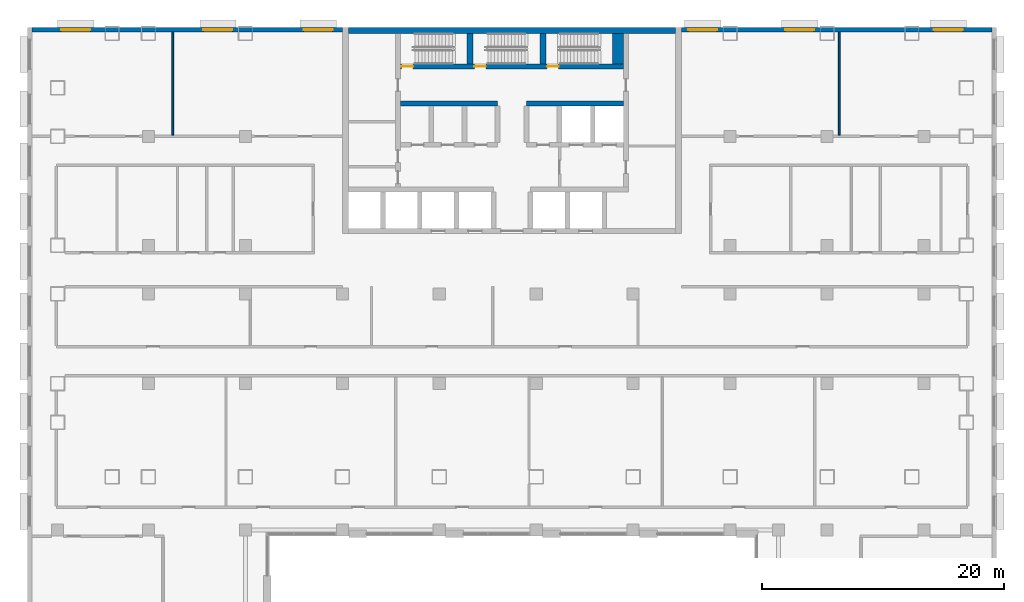
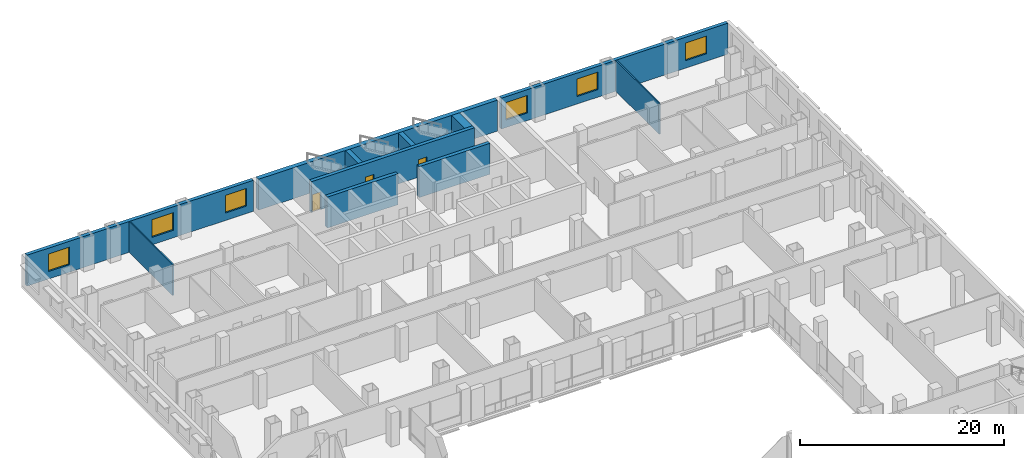
# One storey, part 15 of 25: 11 walls, 6 windows, 3 doors, 9 openings.
"""IFC4 building model written with IfcOpenShell, lengths in metres."""

import ifcopenshell
import ifcopenshell.guid

model = None  # the IFC model being written
_history = None  # IfcOwnerHistory: only IFC2X3 demands one
_inside = {}  # id of a spatial element -> (the spatial element, [elements in it])
_under = {}  # id of a project, library or spatial element -> (it, [spatial elements below it])
_declared = {}  # id of a project -> (the project, [libraries it declares])
_typed = {}  # id of a type object -> (the type object, [elements of that type])
_made_of = {}  # id of a material, layer set ... -> (it, [elements and type objects made of it])


def new_model(schema):
    """Start an empty IFC model of exactly this schema.

    Asked for "IFC4X3", IfcOpenShell would pick the latest addendum, in which some entities
    have other attributes; the version numbers below select the first issue.
    IFC2X3 requires an IfcOwnerHistory on every rooted entity: one is made here for all.
    """
    global model, _history
    if schema == "IFC4X3":
        model = ifcopenshell.file(schema_version=(4, 3, 0, 0))
    else:
        model = ifcopenshell.file(schema=schema)
    _inside.clear()
    _under.clear()
    _declared.clear()
    _typed.clear()
    _made_of.clear()
    _history = None
    if model.schema == "IFC2X3":
        org = make("IfcOrganization", Name="unknown")
        user = make(
            "IfcPersonAndOrganization",
            ThePerson=make("IfcPerson", FamilyName="unknown"),
            TheOrganization=org,
        )
        app = make(
            "IfcApplication",
            ApplicationDeveloper=org,
            Version="unknown",
            ApplicationFullName="unknown",
            ApplicationIdentifier="unknown",
        )
        _history = make(
            "IfcOwnerHistory",
            OwningUser=user,
            OwningApplication=app,
            ChangeAction="ADDED",
            CreationDate=0,
        )
    return model


def make(cls, **values):
    """One entity of the class cls with the attributes given. An attribute that is None is left unset."""
    return model.create_entity(
        cls, **{name: value for name, value in values.items() if value is not None}
    )


def rooted(cls, **values):
    """An entity with a GlobalId (a new one), such as an element, a storey or a relation."""
    return make(cls, GlobalId=ifcopenshell.guid.new(), OwnerHistory=_history, **values)


def si_unit(unit_type, name, prefix=None):
    """IfcSIUnit, for example si_unit("LENGTHUNIT", "METRE", prefix="MILLI")."""
    return make("IfcSIUnit", UnitType=unit_type, Prefix=prefix, Name=name)


def assignment(units):
    """IfcUnitAssignment: the units of a project."""
    return None if units is None else make("IfcUnitAssignment", Units=units)


def point(xyz):
    """IfcCartesianPoint."""
    return None if xyz is None else make("IfcCartesianPoint", Coordinates=xyz)


def direction(xyz):
    """IfcDirection."""
    return None if xyz is None else make("IfcDirection", DirectionRatios=xyz)


def frame(location, z_axis=None, x_axis=None):
    """IfcAxis2Placement3D, a coordinate frame: its origin and axes. An axis left out is left unset."""
    return make(
        "IfcAxis2Placement3D",
        Location=point(location),
        Axis=direction(z_axis),
        RefDirection=direction(x_axis),
    )


def frame_2d(location, x_axis=None):
    """IfcAxis2Placement2D, a coordinate frame in the plane: its origin and x axis."""
    return make(
        "IfcAxis2Placement2D", Location=point(location), RefDirection=direction(x_axis)
    )


def origin():
    """The frame at (0, 0, 0) with its axes left unset."""
    return frame((0.0, 0.0, 0.0))


def place(relative_to, where):
    """IfcLocalPlacement: puts the frame where relative to a parent placement (None: the world)."""
    return make(
        "IfcLocalPlacement", PlacementRelTo=relative_to, RelativePlacement=where
    )


def context(
    kind, dimensions, precision=None, world=None, true_north=None, identifier=None
):
    """IfcGeometricRepresentationContext, for example the 3D "Model" context."""
    return make(
        "IfcGeometricRepresentationContext",
        ContextIdentifier=identifier,
        ContextType=kind,
        CoordinateSpaceDimension=dimensions,
        Precision=precision,
        WorldCoordinateSystem=world,
        TrueNorth=true_north,
    )


def subcontext(parent, identifier, kind, view, scale=None):
    """IfcGeometricRepresentationSubContext, for example "Body" below "Model"."""
    return make(
        "IfcGeometricRepresentationSubContext",
        ContextIdentifier=identifier,
        ContextType=kind,
        ParentContext=parent,
        TargetScale=scale,
        TargetView=view,
    )


def project(units=None, contexts=None):
    """IfcProject with its units and contexts."""
    return rooted(
        "IfcProject",
        Name="project",
        RepresentationContexts=contexts,
        UnitsInContext=assignment(units),
    )


def spatial(cls, under=None, at=None, **own):
    """A site, building, storey or space (cls), placed at a placement, below another one or the project."""
    s = rooted(cls, ObjectPlacement=at, **own)
    if under is not None:
        _under.setdefault(under.id(), (under, []))[1].append(s)
    return s


def profile(cls, at=None, kind="AREA", **sizes):
    """A parametric profile (cls). Its sizes go by their IFC names, for example OverallWidth=200.0."""
    return make(cls, ProfileType=kind, Position=at, **sizes)


def rectangle(**sizes):
    """IfcRectangleProfileDef."""
    return profile("IfcRectangleProfileDef", **sizes)


def extrude(swept, where, along, depth):
    """IfcExtrudedAreaSolid: the profile swept, set in the frame where, extruded along a direction by depth."""
    return make(
        "IfcExtrudedAreaSolid",
        SweptArea=swept,
        Position=where,
        ExtrudedDirection=direction(along),
        Depth=depth,
    )


def shape(context_of_items, identifier, shape_type, items):
    """IfcShapeRepresentation: the items that make up one representation, for example the "Body"."""
    return make(
        "IfcShapeRepresentation",
        ContextOfItems=context_of_items,
        RepresentationIdentifier=identifier,
        RepresentationType=shape_type,
        Items=items,
    )


def material(Name=None, Category=None):
    """IfcMaterial."""
    return make("IfcMaterial", Name=Name, Category=Category)


def layer(
    of_material, thickness, ventilated=None, Name=None, Category=None, Priority=None
):
    """IfcMaterialLayer: one layer of a wall or slab, of a material (None: an air gap)."""
    return make(
        "IfcMaterialLayer",
        Material=of_material,
        LayerThickness=thickness,
        IsVentilated=ventilated,
        Name=Name,
        Category=Category,
        Priority=Priority,
    )


def layer_set(layers, Name=None):
    """IfcMaterialLayerSet."""
    return make("IfcMaterialLayerSet", MaterialLayers=layers, LayerSetName=Name)


def made_of(thing, what):
    """Note that an element or type object is made of a material, layer set ...; save() writes the relation."""
    if what is not None:
        _made_of.setdefault(what.id(), (what, []))[1].append(thing)
    return thing


def type_object(cls, material=None, **own):
    """A type object (cls), such as IfcWallType, which elements share."""
    return made_of(rooted(cls, **own), material)


def element(
    cls,
    number,
    at=None,
    inside=None,
    cuts=None,
    type_object=None,
    material=None,
    context=None,
    identifier="Body",
    shape_type=None,
    held_by="IfcProductDefinitionShape",
    body=None,
    shapes=None,
    **own,
):
    """One element of the class cls, such as IfcWall. Its Tag is "e" and its number.

    at: its placement. inside: the storey or other place that contains it. cuts: it is an
    opening in that element (IfcRelVoidsElement). A single representation is given by context,
    identifier, shape_type and body (its items); several are given by shapes. held_by: the class
    of the entity that holds the representations. save() writes the other relations.
    """
    e = rooted(cls, Tag="e%d" % number, ObjectPlacement=at, **own)
    if body is not None:
        shapes = [shape(context, identifier, shape_type, body)]
    if shapes is not None:
        e.Representation = make(held_by, Representations=shapes)
    if inside is not None:
        _inside.setdefault(inside.id(), (inside, []))[1].append(e)
    if cuts is not None:
        rooted(
            "IfcRelVoidsElement", RelatingBuildingElement=cuts, RelatedOpeningElement=e
        )
    if type_object is not None:
        _typed.setdefault(type_object.id(), (type_object, []))[1].append(e)
    return made_of(e, material)


def fill(opening, filler):
    """IfcRelFillsElement: the door or window that sits in an opening."""
    return rooted(
        "IfcRelFillsElement",
        RelatingOpeningElement=opening,
        RelatedBuildingElement=filler,
    )


def aggregate(whole, parts):
    """IfcRelAggregates: a whole, such as a stair, and the parts it consists of."""
    return rooted("IfcRelAggregates", RelatingObject=whole, RelatedObjects=parts)


def save(model, path):
    """Write the relations noted so far, then the file.

    IfcRelAggregates (storeys below a building ...), IfcRelContainedInSpatialStructure (elements
    in a storey), IfcRelDefinesByType, IfcRelAssociatesMaterial and IfcRelDeclares: one each for
    every whole, place, type object, material and project.
    """
    for whole, parts in _under.values():
        aggregate(whole, parts)
    for where, things in _inside.values():
        rooted(
            "IfcRelContainedInSpatialStructure",
            RelatedElements=things,
            RelatingStructure=where,
        )
    for kind, things in _typed.values():
        rooted("IfcRelDefinesByType", RelatedObjects=things, RelatingType=kind)
    for what, things in _made_of.values():
        rooted("IfcRelAssociatesMaterial", RelatedObjects=things, RelatingMaterial=what)
    for by, libraries in _declared.values():
        rooted("IfcRelDeclares", RelatingContext=by, RelatedDefinitions=libraries)
    model.write(path)


model = new_model("IFC4")

# Units and contexts
model_context = context("Model", 3, precision=1e-05, world=origin(), true_north=direction((0.0, 1.0)))
body_context = subcontext(model_context, "Body", "Model", "MODEL_VIEW")
ifc_project = project(units=[si_unit("LENGTHUNIT", "METRE"), si_unit("AREAUNIT", "SQUARE_METRE"), si_unit("VOLUMEUNIT", "CUBIC_METRE"), si_unit("PLANEANGLEUNIT", "RADIAN"), si_unit("MASSUNIT", "GRAM", prefix="KILO")], contexts=[model_context])

# Site, building, storey
site_placement = place(None, origin())
site = spatial("IfcSite", under=ifc_project, at=site_placement, CompositionType="ELEMENT")
building_placement = place(site_placement, origin())
building = spatial("IfcBuilding", under=site, at=building_placement, Name="Vidyagriha Tower", CompositionType="ELEMENT")
storey_placement = place(building_placement, frame((0.0, 0.0, 18.0)))
storey = spatial("IfcBuildingStorey", under=building, at=storey_placement, Name="L04", CompositionType="ELEMENT", Elevation=18.0)

# Wall, openings, windows
ifc_material_1 = material(Name="Concrete C40/50 board-marked with brick facing", Category="concrete")
ifc_layer_1 = layer(ifc_material_1, 0.39990234375)
ifc_layer_set_1 = layer_set([ifc_layer_1], Name="Concrete C40/50 board-marked with brick facing")
wall_type_1 = type_object("IfcWallType", Name="Brick-faced board-marked concrete podium wall 400", PredefinedType="STANDARD", material=ifc_layer_set_1)
wall_1_placement = place(storey_placement, frame((39.60009765625, 19.800048828125, 0.0), z_axis=(0.0, 0.0, 1.0), x_axis=(-1.0, 0.0, 0.0)))
wall_1 = element("IfcWall", 1, at=wall_1_placement, inside=storey, type_object=wall_type_1, Name="Podium wall L04 R02", PredefinedType="STANDARD", context=body_context, shape_type="SweptSolid", body=[
    extrude(rectangle(XDim=25.60009765625, YDim=0.39990234375, at=frame_2d((12.800048828125, 0.0))), origin(), (0.0, 0.0, 1.0), 3.699951171875),
])
opening_1_placement = place(wall_1_placement, frame((2.39990234375, 0.0, 0.89990234375)))
opening_1 = element("IfcOpeningElement", 2, at=opening_1_placement, cuts=wall_1, Name="Opening WN3", PredefinedType="OPENING", context=body_context, shape_type="SweptSolid", body=[
    extrude(rectangle(XDim=2.39990234375, YDim=2.10009765625, at=frame_2d((1.199951171875, 1.050048828125))), frame((0.0, 0.2099609375, 0.0), z_axis=(0.0, -1.0, 0.0), x_axis=(1.0, 0.0, 0.0)), (0.0, 0.0, 1.0), 0.419921875),
])
opening_2_placement = place(wall_1_placement, frame((14.6650390625, 0.0, 0.89990234375)))
opening_2 = element("IfcOpeningElement", 3, at=opening_2_placement, cuts=wall_1, Name="Opening WN3", PredefinedType="OPENING", context=body_context, shape_type="SweptSolid", body=[
    extrude(rectangle(XDim=2.39990234375, YDim=2.10009765625, at=frame_2d((1.199951171875, 1.050048828125))), frame((0.0, 0.2099609375, 0.0), z_axis=(0.0, -1.0, 0.0), x_axis=(1.0, 0.0, 0.0)), (0.0, 0.0, 1.0), 0.419921875),
])
opening_3_placement = place(wall_1_placement, frame((22.6650390625, 0.0, 0.89990234375)))
opening_3 = element("IfcOpeningElement", 4, at=opening_3_placement, cuts=wall_1, Name="Opening WN3", PredefinedType="OPENING", context=body_context, shape_type="SweptSolid", body=[
    extrude(rectangle(XDim=2.39990234375, YDim=2.10009765625, at=frame_2d((1.199951171875, 1.050048828125))), frame((0.0, 0.2099609375, 0.0), z_axis=(0.0, -1.0, 0.0), x_axis=(1.0, 0.0, 0.0)), (0.0, 0.0, 1.0), 0.419921875),
])
ifc_material_2 = material(Name="Aluminium and glass window", Category="aluminium")
window_type = type_object("IfcWindowType", Name="Podium school window 2400x2100", PartitioningType="NOTDEFINED", PredefinedType="WINDOW", material=ifc_material_2)
window_1_placement = place(opening_1_placement, origin())
window_1 = element("IfcWindow", 5, at=window_1_placement, inside=storey, type_object=window_type, Name="School window L04 R02.2", OverallHeight=2.10009765625, OverallWidth=2.39990234375, PartitioningType="SINGLE_PANEL", PredefinedType="WINDOW", context=body_context, shape_type="SweptSolid", body=[
    extrude(rectangle(XDim=2.39990234375, YDim=2.10009765625, at=frame_2d((1.199951171875, 1.050048828125))), frame((0.0, 0.030029296875, 0.0), z_axis=(0.0, -1.0, 0.0), x_axis=(1.0, 0.0, 0.0)), (0.0, 0.0, 1.0), 0.06005859375),
])
fill(opening_1, window_1)
window_2_placement = place(opening_2_placement, origin())
window_2 = element("IfcWindow", 6, at=window_2_placement, inside=storey, type_object=window_type, Name="School window L04 R02.10", OverallHeight=2.10009765625, OverallWidth=2.39990234375, PartitioningType="SINGLE_PANEL", PredefinedType="WINDOW", context=body_context, shape_type="SweptSolid", body=[
    extrude(rectangle(XDim=2.39990234375, YDim=2.10009765625, at=frame_2d((1.199951171875, 1.050048828125))), frame((0.0, 0.030029296875, 0.0), z_axis=(0.0, -1.0, 0.0), x_axis=(1.0, 0.0, 0.0)), (0.0, 0.0, 1.0), 0.06005859375),
])
fill(opening_2, window_2)
window_3_placement = place(opening_3_placement, origin())
window_3 = element("IfcWindow", 7, at=window_3_placement, inside=storey, type_object=window_type, Name="School window L04 R02.14", OverallHeight=2.10009765625, OverallWidth=2.39990234375, PartitioningType="SINGLE_PANEL", PredefinedType="WINDOW", context=body_context, shape_type="SweptSolid", body=[
    extrude(rectangle(XDim=2.39990234375, YDim=2.10009765625, at=frame_2d((1.199951171875, 1.050048828125))), frame((0.0, 0.030029296875, 0.0), z_axis=(0.0, -1.0, 0.0), x_axis=(1.0, 0.0, 0.0)), (0.0, 0.0, 1.0), 0.06005859375),
])
fill(opening_3, window_3)

wall_2_placement = place(storey_placement, frame((-14.0, 19.800048828125, 0.0), z_axis=(0.0, 0.0, 1.0), x_axis=(-1.0, 0.0, 0.0)))
wall_2 = element("IfcWall", 8, at=wall_2_placement, inside=storey, type_object=wall_type_1, Name="Podium wall L04 R04", PredefinedType="STANDARD", context=body_context, shape_type="SweptSolid", body=[
    extrude(rectangle(XDim=25.60009765625, YDim=0.39990234375, at=frame_2d((12.800048828125, 0.0))), origin(), (0.0, 0.0, 1.0), 3.699951171875),
])
opening_4_placement = place(wall_2_placement, frame((0.800048828125, 0.0, 0.89990234375)))
opening_4 = element("IfcOpeningElement", 9, at=opening_4_placement, cuts=wall_2, Name="Opening WN3", PredefinedType="OPENING", context=body_context, shape_type="SweptSolid", body=[
    extrude(rectangle(XDim=2.39990234375, YDim=2.10009765625, at=frame_2d((1.199951171875, 1.050048828125))), frame((0.0, 0.2099609375, 0.0), z_axis=(0.0, -1.0, 0.0), x_axis=(1.0, 0.0, 0.0)), (0.0, 0.0, 1.0), 0.419921875),
])
opening_5_placement = place(wall_2_placement, frame((9.06494140625, 0.0, 0.89990234375)))
opening_5 = element("IfcOpeningElement", 10, at=opening_5_placement, cuts=wall_2, Name="Opening WN3", PredefinedType="OPENING", context=body_context, shape_type="SweptSolid", body=[
    extrude(rectangle(XDim=2.39990234375, YDim=2.10009765625, at=frame_2d((1.199951171875, 1.050048828125))), frame((0.0, 0.2099609375, 0.0), z_axis=(0.0, -1.0, 0.0), x_axis=(1.0, 0.0, 0.0)), (0.0, 0.0, 1.0), 0.419921875),
])
opening_6_placement = place(wall_2_placement, frame((20.800048828125, 0.0, 0.89990234375)))
opening_6 = element("IfcOpeningElement", 11, at=opening_6_placement, cuts=wall_2, Name="Opening WN3", PredefinedType="OPENING", context=body_context, shape_type="SweptSolid", body=[
    extrude(rectangle(XDim=2.39990234375, YDim=2.10009765625, at=frame_2d((1.199951171875, 1.050048828125))), frame((0.0, 0.2099609375, 0.0), z_axis=(0.0, -1.0, 0.0), x_axis=(1.0, 0.0, 0.0)), (0.0, 0.0, 1.0), 0.419921875),
])
window_4_placement = place(opening_4_placement, origin())
window_4 = element("IfcWindow", 12, at=window_4_placement, inside=storey, type_object=window_type, Name="School window L04 R04.1", OverallHeight=2.10009765625, OverallWidth=2.39990234375, PartitioningType="SINGLE_PANEL", PredefinedType="WINDOW", context=body_context, shape_type="SweptSolid", body=[
    extrude(rectangle(XDim=2.39990234375, YDim=2.10009765625, at=frame_2d((1.199951171875, 1.050048828125))), frame((0.0, 0.030029296875, 0.0), z_axis=(0.0, -1.0, 0.0), x_axis=(1.0, 0.0, 0.0)), (0.0, 0.0, 1.0), 0.06005859375),
])
fill(opening_4, window_4)
window_5_placement = place(opening_5_placement, origin())
window_5 = element("IfcWindow", 13, at=window_5_placement, inside=storey, type_object=window_type, Name="School window L04 R04.5", OverallHeight=2.10009765625, OverallWidth=2.39990234375, PartitioningType="SINGLE_PANEL", PredefinedType="WINDOW", context=body_context, shape_type="SweptSolid", body=[
    extrude(rectangle(XDim=2.39990234375, YDim=2.10009765625, at=frame_2d((1.199951171875, 1.050048828125))), frame((0.0, 0.030029296875, 0.0), z_axis=(0.0, -1.0, 0.0), x_axis=(1.0, 0.0, 0.0)), (0.0, 0.0, 1.0), 0.06005859375),
])
fill(opening_5, window_5)
window_6_placement = place(opening_6_placement, origin())
window_6 = element("IfcWindow", 14, at=window_6_placement, inside=storey, type_object=window_type, Name="School window L04 R04.13", OverallHeight=2.10009765625, OverallWidth=2.39990234375, PartitioningType="SINGLE_PANEL", PredefinedType="WINDOW", context=body_context, shape_type="SweptSolid", body=[
    extrude(rectangle(XDim=2.39990234375, YDim=2.10009765625, at=frame_2d((1.199951171875, 1.050048828125))), frame((0.0, 0.030029296875, 0.0), z_axis=(0.0, -1.0, 0.0), x_axis=(1.0, 0.0, 0.0)), (0.0, 0.0, 1.0), 0.06005859375),
])
fill(opening_6, window_6)

# Walls
ifc_material_3 = material(Name="Concrete C60/75", Category="concrete")
ifc_layer_2 = layer(ifc_material_3, 0.39990234375)
ifc_layer_set_2 = layer_set([ifc_layer_2], Name="Concrete C60/75")
wall_type_2 = type_object("IfcWallType", Name="Core shear wall 400 mm", PredefinedType="SHEAR", material=ifc_layer_set_2)
for number, where, name in (
    (15, (-9.199951171875, 13.699951171875, 0.0), "Core row N rear wall"),
    (16, (1.199951171875, 13.699951171875, 0.0), "Core row N rear wall"),
):
    element("IfcWall", number, at=place(storey_placement, frame(where)), inside=storey, type_object=wall_type_2, Name=name, PredefinedType="SHEAR", context=body_context, shape_type="SweptSolid", body=[
        extrude(rectangle(XDim=8.0, YDim=0.39990234375, at=frame_2d((4.0, 0.0))), origin(), (0.0, 0.0, 1.0), 3.699951171875),
    ])

# Wall, openings, doors
wall_3_placement = place(storey_placement, frame((-9.199951171875, 16.75, 0.0)))
wall_3 = element("IfcWall", 17, at=wall_3_placement, inside=storey, type_object=wall_type_2, Name="Stair front wall", PredefinedType="SHEAR", context=body_context, shape_type="SweptSolid", body=[
    extrude(rectangle(XDim=18.39990234375, YDim=0.39990234375, at=frame_2d((9.199951171875, 0.0))), origin(), (0.0, 0.0, 1.0), 3.699951171875),
])
opening_7_placement = place(wall_3_placement, frame((0.10009765625, 0.0, 0.0)))
opening_7 = element("IfcOpeningElement", 18, at=opening_7_placement, cuts=wall_3, Name="Opening D04-07", PredefinedType="OPENING", context=body_context, shape_type="SweptSolid", body=[
    extrude(rectangle(XDim=0.949951171875, YDim=2.10009765625, at=frame_2d((0.47509765625, 1.050048828125))), frame((0.0, 0.2099609375, 0.0), z_axis=(0.0, -1.0, 0.0), x_axis=(1.0, 0.0, 0.0)), (0.0, 0.0, 1.0), 0.419921875),
])
opening_8_placement = place(wall_3_placement, frame((6.10009765625, 0.0, 0.0)))
opening_8 = element("IfcOpeningElement", 19, at=opening_8_placement, cuts=wall_3, Name="Opening D04-08", PredefinedType="OPENING", context=body_context, shape_type="SweptSolid", body=[
    extrude(rectangle(XDim=0.949951171875, YDim=2.10009765625, at=frame_2d((0.47509765625, 1.050048828125))), frame((0.0, 0.2099609375, 0.0), z_axis=(0.0, -1.0, 0.0), x_axis=(1.0, 0.0, 0.0)), (0.0, 0.0, 1.0), 0.419921875),
])
opening_9_placement = place(wall_3_placement, frame((12.10009765625, 0.0, 0.0)))
opening_9 = element("IfcOpeningElement", 20, at=opening_9_placement, cuts=wall_3, Name="Opening D04-09", PredefinedType="OPENING", context=body_context, shape_type="SweptSolid", body=[
    extrude(rectangle(XDim=0.949951171875, YDim=2.10009765625, at=frame_2d((0.47509765625, 1.050048828125))), frame((0.0, 0.2099609375, 0.0), z_axis=(0.0, -1.0, 0.0), x_axis=(1.0, 0.0, 0.0)), (0.0, 0.0, 1.0), 0.419921875),
])
ifc_material_4 = material(Name="Hollow metal door leaf")
door_type = type_object("IfcDoorType", Name="Exit stair door 950 x 2100 mm EI 90", OperationType="NOTDEFINED", PredefinedType="DOOR", material=ifc_material_4)
door_1_placement = place(opening_7_placement, origin())
door_1 = element("IfcDoor", 21, at=door_1_placement, inside=storey, type_object=door_type, Name="Stair door ST1 L04", OperationType="SINGLE_SWING_LEFT", OverallHeight=2.10009765625, OverallWidth=0.949951171875, PredefinedType="DOOR", context=body_context, shape_type="SweptSolid", body=[
    extrude(rectangle(XDim=0.949951171875, YDim=2.10009765625, at=frame_2d((0.47509765625, 1.050048828125))), frame((0.0, 0.02490234375, 0.0), z_axis=(0.0, -1.0, 0.0), x_axis=(1.0, 0.0, 0.0)), (0.0, 0.0, 1.0), 0.050048828125),
])
fill(opening_7, door_1)
door_2_placement = place(opening_8_placement, origin())
door_2 = element("IfcDoor", 22, at=door_2_placement, inside=storey, type_object=door_type, Name="Stair door ST2 L04", OperationType="SINGLE_SWING_LEFT", OverallHeight=2.10009765625, OverallWidth=0.949951171875, PredefinedType="DOOR", context=body_context, shape_type="SweptSolid", body=[
    extrude(rectangle(XDim=0.949951171875, YDim=2.10009765625, at=frame_2d((0.47509765625, 1.050048828125))), frame((0.0, 0.02490234375, 0.0), z_axis=(0.0, -1.0, 0.0), x_axis=(1.0, 0.0, 0.0)), (0.0, 0.0, 1.0), 0.050048828125),
])
fill(opening_8, door_2)
door_3_placement = place(opening_9_placement, origin())
door_3 = element("IfcDoor", 23, at=door_3_placement, inside=storey, type_object=door_type, Name="Stair door ST3 L04", OperationType="SINGLE_SWING_LEFT", OverallHeight=2.10009765625, OverallWidth=0.949951171875, PredefinedType="DOOR", context=body_context, shape_type="SweptSolid", body=[
    extrude(rectangle(XDim=0.949951171875, YDim=2.10009765625, at=frame_2d((0.47509765625, 1.050048828125))), frame((0.0, 0.02490234375, 0.0), z_axis=(0.0, -1.0, 0.0), x_axis=(1.0, 0.0, 0.0)), (0.0, 0.0, 1.0), 0.050048828125),
])
fill(opening_9, door_3)

# Walls
ifc_material_5 = material(Name="Concrete C60/75", Category="concrete")
ifc_layer_3 = layer(ifc_material_5, 0.5)
ifc_layer_set_3 = layer_set([ifc_layer_3], Name="Concrete C60/75")
wall_type_3 = type_object("IfcWallType", Name="Core shear wall 500 mm", PredefinedType="SHEAR", material=ifc_layer_set_3)
for number, where, z_axis, x_axis, name in (
    (24, (-3.449951171875, 16.949951171875, 0.0), (0.0, 0.0, 1.0), (0.0, 1.0, 0.0), "Stair partition wall 1"),
    (25, (2.550048828125, 16.949951171875, 0.0), (0.0, 0.0, 1.0), (0.0, 1.0, 0.0), "Stair partition wall 2"),
):
    element("IfcWall", number, at=place(storey_placement, frame(where, z_axis=z_axis, x_axis=x_axis)), inside=storey, type_object=wall_type_3, Name=name, PredefinedType="SHEAR", context=body_context, shape_type="SweptSolid", body=[
        extrude(rectangle(XDim=2.550048828125, YDim=0.5, at=frame_2d((1.27490234375, 0.0))), origin(), (0.0, 0.0, 1.0), 3.699951171875),
    ])
ifc_material_6 = material(Name="Concrete C60/75 with brick facing", Category="concrete")
ifc_layer_4 = layer(ifc_material_6, 0.5)
ifc_layer_set_4 = layer_set([ifc_layer_4], Name="Concrete C60/75 with brick facing")
wall_type_4 = type_object("IfcWallType", Name="Core shear wall 500 mm, brick-faced", PredefinedType="SHEAR", material=ifc_layer_set_4)
wall_4_placement = place(storey_placement, frame((-13.5, 19.75, 0.0)))
element("IfcWall", 26, at=wall_4_placement, inside=storey, type_object=wall_type_4, Name="Core north wall", PredefinedType="SHEAR", context=body_context, shape_type="SweptSolid", body=[
    extrude(rectangle(XDim=27.0, YDim=0.5, at=frame_2d((13.5, 0.0))), origin(), (0.0, 0.0, 1.0), 3.699951171875),
])
ifc_material_7 = material(Name="Concrete C60/75", Category="concrete")
ifc_layer_5 = layer(ifc_material_7, 0.89990234375)
ifc_layer_set_5 = layer_set([ifc_layer_5], Name="Concrete C60/75")
wall_type_5 = type_object("IfcWallType", Name="Core shear wall 900 mm", PredefinedType="SHEAR", material=ifc_layer_set_5)
wall_5_placement = place(storey_placement, frame((8.75, 16.949951171875, 0.0), z_axis=(0.0, 0.0, 1.0), x_axis=(0.0, 1.0, 0.0)))
element("IfcWall", 27, at=wall_5_placement, inside=storey, type_object=wall_type_5, Name="Stair end wall", PredefinedType="SHEAR", context=body_context, shape_type="SweptSolid", body=[
    extrude(rectangle(XDim=2.550048828125, YDim=0.89990234375, at=frame_2d((1.27490234375, 0.0))), origin(), (0.0, 0.0, 1.0), 3.699951171875),
])
ifc_material_8 = material(Name="Gypsum board on light gauge framing")
ifc_layer_6 = layer(ifc_material_8, 0.14990234375)
ifc_layer_set_6 = layer_set([ifc_layer_6], Name="Gypsum board on light gauge framing")
wall_type_6 = type_object("IfcWallType", Name="Gypsum Board Partition 150", PredefinedType="PARTITIONING", material=ifc_layer_set_6)
for number, where, z_axis, x_axis, name in (
    (28, (-28.0, 11.10009765625, 0.0), (0.0, 0.0, 1.0), (0.0, 1.0, 0.0), "L04 Gypsum Board Partition 150 046"),
    (29, (27.0, 11.10009765625, 0.0), (0.0, 0.0, 1.0), (0.0, 1.0, 0.0), "L04 Gypsum Board Partition 150 069"),
):
    element("IfcWall", number, at=place(storey_placement, frame(where, z_axis=z_axis, x_axis=x_axis)), inside=storey, type_object=wall_type_6, Name=name, PredefinedType="PARTITIONING", context=body_context, shape_type="SweptSolid", body=[
        extrude(rectangle(XDim=8.499755859375, YDim=0.14990234375, at=frame_2d((4.25, 0.0))), origin(), (0.0, 0.0, 1.0), 3.699951171875),
    ])

save(model, "model.ifc")
